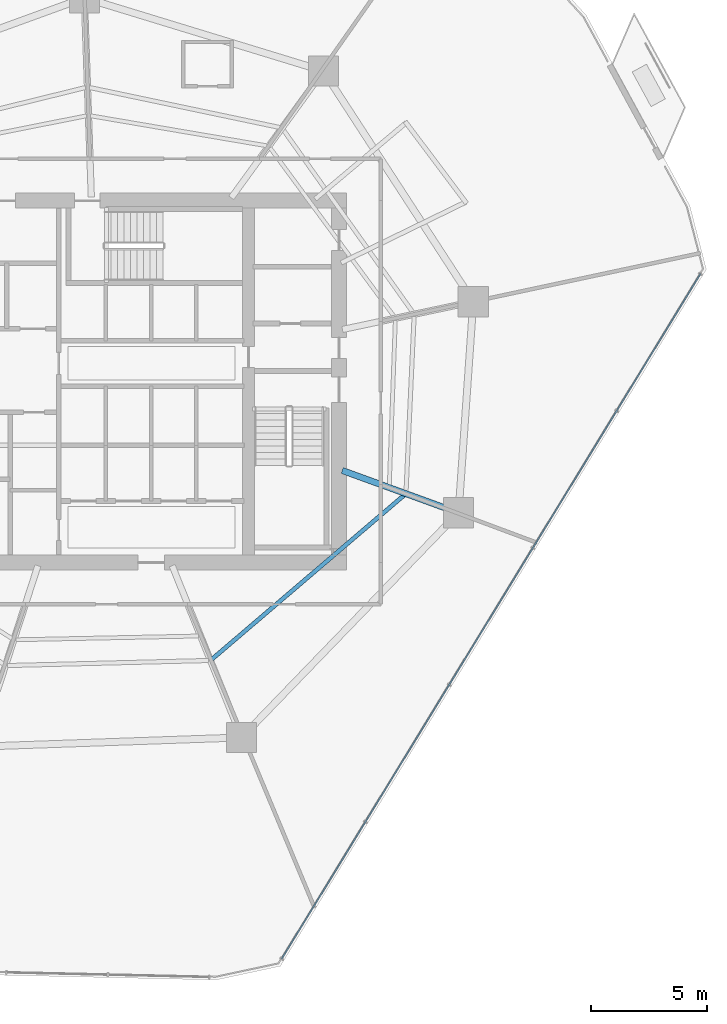
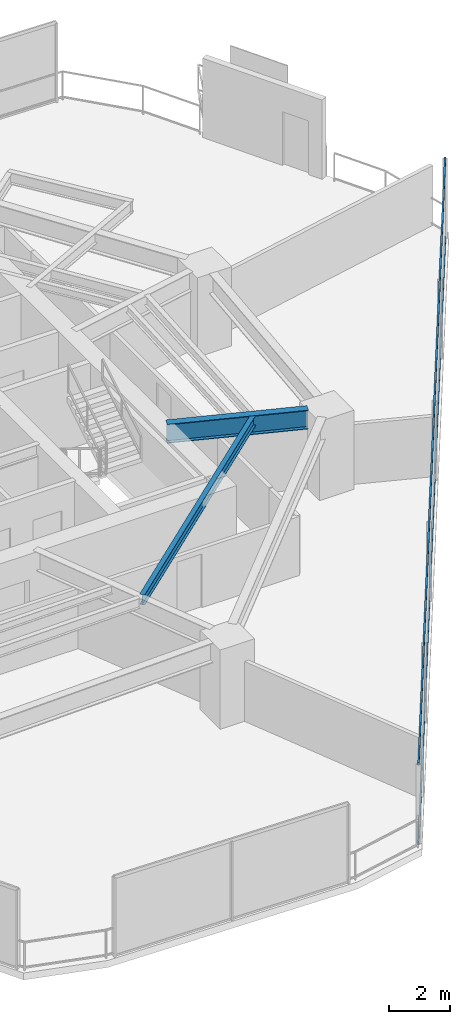
# One storey, part 12 of 30: 2 beams, 2 members, 1 element without a shape of its own.
"""IFC4 building model written with IfcOpenShell, lengths in metres."""

from ifc_helpers import new_model, si_unit, direction, frame, origin, origin_2d, place, context, subcontext, project, spatial, hollow_rectangle, i_section, extrude, material, layer, layer_set, material_profile, profile_set, type_object, element, aggregate, save


model = new_model("IFC4")

# Units and contexts
model_context = context("Model", 3, precision=1e-05, world=origin(), true_north=direction((0.0, 1.0)))
body_context = subcontext(model_context, "Body", "Model", "MODEL_VIEW")
ifc_project = project(units=[si_unit("LENGTHUNIT", "METRE"), si_unit("AREAUNIT", "SQUARE_METRE"), si_unit("VOLUMEUNIT", "CUBIC_METRE"), si_unit("PLANEANGLEUNIT", "RADIAN"), si_unit("MASSUNIT", "GRAM", prefix="KILO")], contexts=[model_context])

# Site, building, storey
site_placement = place(None, origin())
site = spatial("IfcSite", under=ifc_project, at=site_placement, CompositionType="ELEMENT")
building_placement = place(site_placement, origin())
building = spatial("IfcBuilding", under=site, at=building_placement, Name="Qarnah Convention Tower", CompositionType="ELEMENT")
storey_placement = place(building_placement, frame((0.0, 0.0, 61.5)))
storey = spatial("IfcBuildingStorey", under=building, at=storey_placement, Name="L15", CompositionType="ELEMENT", Elevation=61.5)

# Beams
ifc_material_1 = material(Name="Structural steel S355JR", Category="steel")
ifc_material_profile_1 = material_profile(ifc_material_1, i_section(OverallWidth=0.177978515625, OverallDepth=0.407958984375, WebThickness=0.008056640625, FlangeThickness=0.012939453125, at=origin_2d()), Name="W410X60")
ifc_profile_set_1 = profile_set([ifc_material_profile_1], Name="Structural steel S355JR")
beam_type_1 = type_object("IfcBeamType", Name="BM-JST-W410", PredefinedType="JOIST", material=ifc_profile_set_1)
beam_1_placement = place(storey_placement, frame((42.126953125, 14.43310546875, 2.966064453125), z_axis=(0.760695347203, 0.649109073071, 0.0), x_axis=(-0.649109073071, 0.760695347203, 0.0)))
element("IfcBeam", 1, at=beam_1_placement, inside=storey, type_object=beam_type_1, Name="L15 joist BM-L15-SJST-08", PredefinedType="JOIST", context=body_context, shape_type="SweptSolid", body=[
    extrude(i_section(OverallWidth=0.177978515625, OverallDepth=0.407958984375, WebThickness=0.008056640625, FlangeThickness=0.012939453125, at=origin_2d()), origin(), (0.0, 0.0, 1.0), 10.89794921875),
])
ifc_material_profile_2 = material_profile(ifc_material_1, i_section(OverallWidth=0.26806640625, OverallDepth=0.760009765625, WebThickness=0.014892578125, FlangeThickness=0.02197265625, at=origin_2d()), Name="W760X185")
ifc_profile_set_2 = profile_set([ifc_material_profile_2], Name="Structural steel S355JR")
beam_type_2 = type_object("IfcBeamType", Name="BM-RAD-W760", PredefinedType="BEAM", material=ifc_profile_set_2)
beam_2_placement = place(storey_placement, frame((47.740966796875, 22.56396484375, 2.7900390625), z_axis=(0.939656930297, -0.342118186224, 0.0), x_axis=(0.342118186224, 0.939656930297, 0.0)))
element("IfcBeam", 2, at=beam_2_placement, inside=storey, type_object=beam_type_2, Name="L15 beam BM-L15-RAD-09", PredefinedType="BEAM", context=body_context, shape_type="SweptSolid", body=[
    extrude(i_section(OverallWidth=0.26806640625, OverallDepth=0.760009765625, WebThickness=0.014892578125, FlangeThickness=0.02197265625, at=origin_2d()), origin(), (0.0, 0.0, 1.0), 4.70263671875),
])

# Curtain wall, members
ifc_material_2 = material(Name="Tempered Low-E dark glass", Category="glass")
ifc_layer = layer(ifc_material_2, 0.16796875)
ifc_layer_set = layer_set([ifc_layer], Name="Tempered Low-E dark glass")
curtain_wall_type = type_object("IfcCurtainWallType", Name="CWS-01", PredefinedType="NOTDEFINED", material=ifc_layer_set)
curtain_wall_placement = place(storey_placement, origin())
curtain_wall = element("IfcCurtainWall", 3, at=curtain_wall_placement, inside=storey, type_object=curtain_wall_type, Name="L15 unitised curtain wall CW-L15-F2", PredefinedType="NOTDEFINED")
ifc_material_3 = material(Name="Black anodised aluminium", Category="aluminium")
ifc_material_profile_3 = material_profile(ifc_material_3, hollow_rectangle(XDim=0.06005859375, YDim=0.1298828125, WallThickness=0.00390625, at=origin_2d()), Name="TRN-60X130")
ifc_profile_set_3 = profile_set([ifc_material_profile_3], Name="Black anodised aluminium")
member_type = type_object("IfcMemberType", Name="TRN-T1", PredefinedType="USERDEFINED", material=ifc_profile_set_3)
member_1_placement = place(storey_placement, frame((63.180908203125, 31.041015625, 0.0), z_axis=(-0.521606646607, -0.853186091199, 0.0), x_axis=(0.853186091199, -0.521606646607, 0.0)))
member_1 = element("IfcMember", 4, at=member_1_placement, type_object=member_type, Name="CW-L15-F2 transom 1", ObjectType="TRANSOM", PredefinedType="USERDEFINED", context=body_context, shape_type="SweptSolid", body=[
    extrude(hollow_rectangle(XDim=0.06005859375, YDim=0.1298828125, WallThickness=0.00390625, at=origin_2d()), origin(), (0.0, 0.0, 1.0), 34.6103515625),
])
member_2_placement = place(storey_placement, frame((63.180908203125, 31.041015625, 3.169921875), z_axis=(-0.521606646607, -0.853186091199, 0.0), x_axis=(0.853186091199, -0.521606646607, 0.0)))
member_2 = element("IfcMember", 5, at=member_2_placement, type_object=member_type, Name="CW-L15-F2 transom 2", ObjectType="TRANSOM", PredefinedType="USERDEFINED", context=body_context, shape_type="SweptSolid", body=[
    extrude(hollow_rectangle(XDim=0.06005859375, YDim=0.1298828125, WallThickness=0.00390625, at=origin_2d()), origin(), (0.0, 0.0, 1.0), 34.6103515625),
])
aggregate(curtain_wall, [member_1, member_2])

save(model, "model.ifc")
